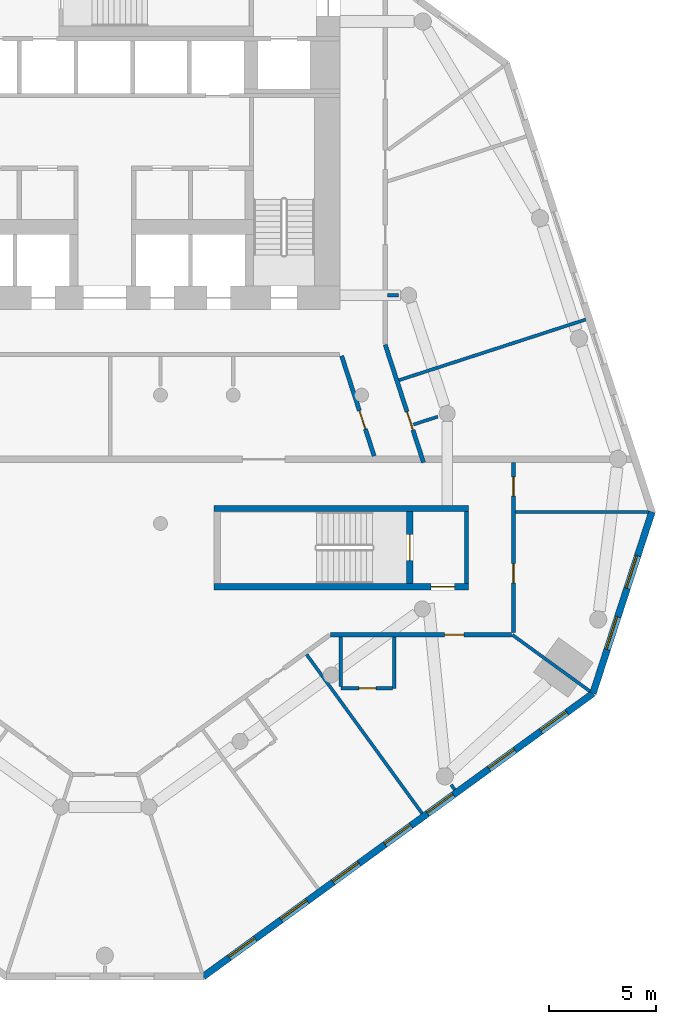
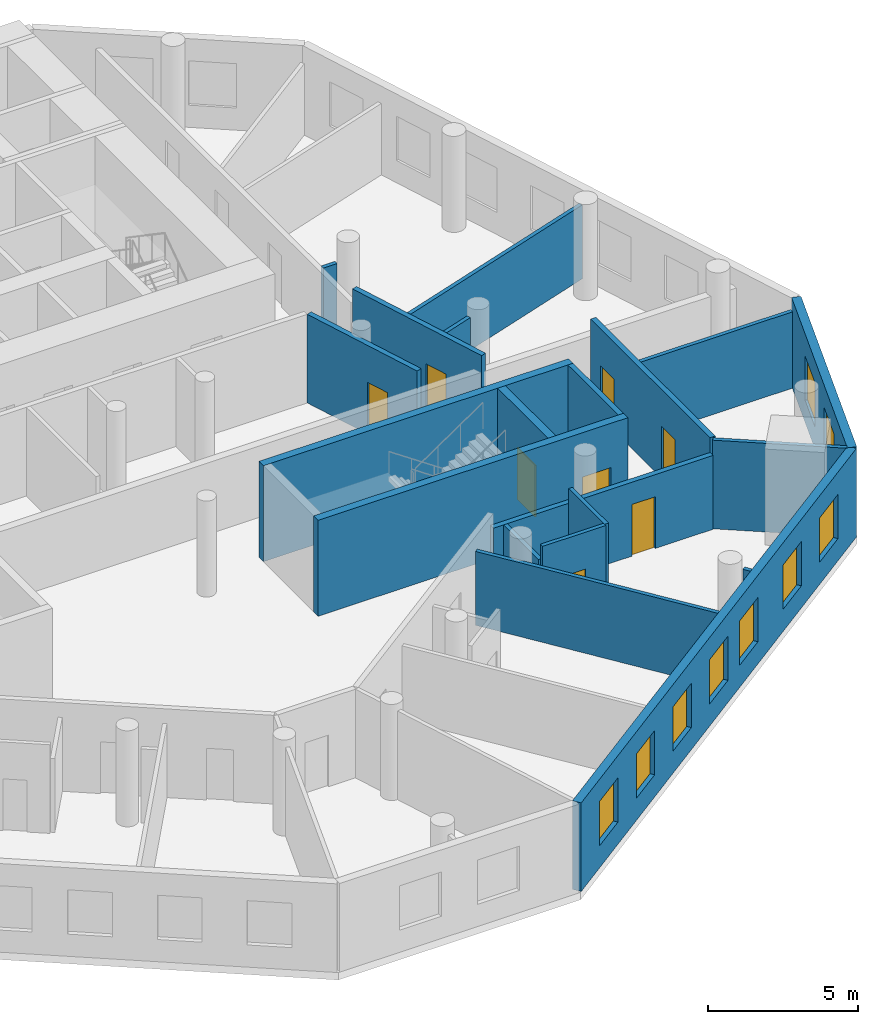
# One storey, part 4 of 9: 20 walls, 9 windows, 8 doors, 17 openings.
"""IFC4 building model written with IfcOpenShell, lengths in metres."""

from ifc_helpers import new_model, si_unit, direction, frame, frame_2d, origin, place, context, subcontext, project, spatial, rectangle, extrude, material, layer, layer_set, type_object, element, fill, save


model = new_model("IFC4")

# Units and contexts
model_context = context("Model", 3, precision=1e-05, world=origin(), true_north=direction((0.0, 1.0)))
body_context = subcontext(model_context, "Body", "Model", "MODEL_VIEW")
ifc_project = project(units=[si_unit("LENGTHUNIT", "METRE"), si_unit("AREAUNIT", "SQUARE_METRE"), si_unit("VOLUMEUNIT", "CUBIC_METRE"), si_unit("PLANEANGLEUNIT", "RADIAN"), si_unit("MASSUNIT", "GRAM", prefix="KILO")], contexts=[model_context])

# Site, building, storey
site_placement = place(None, origin())
site = spatial("IfcSite", under=ifc_project, at=site_placement, CompositionType="ELEMENT")
building_placement = place(site_placement, origin())
building = spatial("IfcBuilding", under=site, at=building_placement, Name="White Candle Pilgrim Tower", CompositionType="ELEMENT")
storey_placement = place(building_placement, frame((0.0, 0.0, 118.10009765625)))
storey = spatial("IfcBuildingStorey", under=building, at=storey_placement, Name="L26", CompositionType="ELEMENT", Elevation=118.10009765625)

# Wall
ifc_material_1 = material(Name="Concrete C60/75", Category="concrete")
ifc_layer_1 = layer(ifc_material_1, 0.199951171875)
ifc_layer_set_1 = layer_set([ifc_layer_1], Name="Core wall 200 mm Concrete C60/75")
wall_type_1 = type_object("IfcWallType", Name="Core wall 200 mm Concrete C60/75", PredefinedType="SHEAR", material=ifc_layer_set_1)
wall_1_placement = place(storey_placement, frame((86.89990234375, 58.199951171875, 0.0), z_axis=(0.0, 0.0, 1.0), x_axis=(0.0, 1.0, 0.0)))
element("IfcWall", 1, at=wall_1_placement, inside=storey, type_object=wall_type_1, Name="WL-L26-C08", PredefinedType="SHEAR", context=body_context, shape_type="SweptSolid", body=[
    extrude(rectangle(XDim=3.35009765625, YDim=0.199951171875, at=frame_2d((1.675048828125, 0.0))), origin(), (0.0, 0.0, 1.0), 3.89990234375),
])

# Wall, opening, door
ifc_material_2 = material(Name="Gypsum board on steel studs", Category="steel")
ifc_layer_2 = layer(ifc_material_2, 0.199951171875)
ifc_layer_set_2 = layer_set([ifc_layer_2], Name="Corridor wall 200 mm EI 45")
wall_type_2 = type_object("IfcWallType", Name="Corridor wall 200 mm EI 45", PredefinedType="PARTITIONING", material=ifc_layer_set_2)
wall_2_placement = place(storey_placement, frame((83.10498046875, 69.35400390625, 0.0), z_axis=(0.0, 0.0, 1.0), x_axis=(0.309017390004, -0.951056387747, 0.0)))
wall_2 = element("IfcWall", 2, at=wall_2_placement, inside=storey, type_object=wall_type_2, Name="WL-L26-P005", PredefinedType="PARTITIONING", context=body_context, shape_type="SweptSolid", body=[
    extrude(rectangle(XDim=5.787109375, YDim=0.199951171875, at=frame_2d((2.8935546875, 0.0))), origin(), (0.0, 0.0, 1.0), 3.599853515625),
])
opening_1_placement = place(wall_2_placement, frame((3.291015625, 0.0, 0.0)))
opening_1 = element("IfcOpeningElement", 3, at=opening_1_placement, cuts=wall_2, Name="Opening T08-127", PredefinedType="OPENING", context=body_context, shape_type="SweptSolid", body=[
    extrude(rectangle(XDim=0.89990234375, YDim=2.10009765625, at=frame_2d((0.449951171875, 1.050048828125))), frame((0.0, 0.10986328125, 0.0), z_axis=(0.0, -1.0, 0.0), x_axis=(1.0, 0.0, 0.0)), (0.0, 0.0, 1.0), 0.219970703125),
])
ifc_material_3 = material(Name="Steel door leaf", Category="steel")
door_type_1 = type_object("IfcDoorType", Name="Fire door 900 x 2100 EI 30", OperationType="NOTDEFINED", PredefinedType="DOOR", material=ifc_material_3)
door_1_placement = place(opening_1_placement, origin())
door_1 = element("IfcDoor", 4, at=door_1_placement, inside=storey, type_object=door_type_1, Name="Door T08-127", OperationType="SINGLE_SWING_LEFT", OverallHeight=2.10009765625, OverallWidth=0.89990234375, PredefinedType="DOOR", context=body_context, shape_type="SweptSolid", body=[
    extrude(rectangle(XDim=0.89990234375, YDim=2.10009765625, at=frame_2d((0.449951171875, 1.050048828125))), frame((0.0, 0.02490234375, 0.0), z_axis=(0.0, -1.0, 0.0), x_axis=(1.0, 0.0, 0.0)), (0.0, 0.0, 1.0), 0.050048828125),
])
fill(opening_1, door_1)

# Wall, openings, doors
wall_3_placement = place(storey_placement, frame((89.10009765625, 63.85009765625, 0.0), z_axis=(0.0, 0.0, 1.0), x_axis=(0.0, -1.0, 0.0)))
wall_3 = element("IfcWall", 5, at=wall_3_placement, inside=storey, type_object=wall_type_2, Name="WL-L26-P006", PredefinedType="PARTITIONING", context=body_context, shape_type="SweptSolid", body=[
    extrude(rectangle(XDim=7.9501953125, YDim=0.199951171875, at=frame_2d((3.97509765625, 0.0))), origin(), (0.0, 0.0, 1.0), 3.599853515625),
])
opening_2_placement = place(wall_3_placement, frame((4.728515625, 0.0, 0.0)))
opening_2 = element("IfcOpeningElement", 6, at=opening_2_placement, cuts=wall_3, Name="Opening T08-115", PredefinedType="OPENING", context=body_context, shape_type="SweptSolid", body=[
    extrude(rectangle(XDim=0.89990234375, YDim=2.10009765625, at=frame_2d((0.449951171875, 1.050048828125))), frame((0.0, 0.10986328125, 0.0), z_axis=(0.0, -1.0, 0.0), x_axis=(1.0, 0.0, 0.0)), (0.0, 0.0, 1.0), 0.219970703125),
])
opening_3_placement = place(wall_3_placement, frame((0.666015625, 0.0, 0.0)))
opening_3 = element("IfcOpeningElement", 7, at=opening_3_placement, cuts=wall_3, Name="Opening T08-128", PredefinedType="OPENING", context=body_context, shape_type="SweptSolid", body=[
    extrude(rectangle(XDim=0.89990234375, YDim=2.10009765625, at=frame_2d((0.449951171875, 1.050048828125))), frame((0.0, 0.10986328125, 0.0), z_axis=(0.0, -1.0, 0.0), x_axis=(1.0, 0.0, 0.0)), (0.0, 0.0, 1.0), 0.219970703125),
])
door_2_placement = place(opening_2_placement, origin())
door_2 = element("IfcDoor", 8, at=door_2_placement, inside=storey, type_object=door_type_1, Name="Door T08-115", OperationType="SINGLE_SWING_LEFT", OverallHeight=2.10009765625, OverallWidth=0.89990234375, PredefinedType="DOOR", context=body_context, shape_type="SweptSolid", body=[
    extrude(rectangle(XDim=0.89990234375, YDim=2.10009765625, at=frame_2d((0.449951171875, 1.050048828125))), frame((0.0, 0.02490234375, 0.0), z_axis=(0.0, -1.0, 0.0), x_axis=(1.0, 0.0, 0.0)), (0.0, 0.0, 1.0), 0.050048828125),
])
fill(opening_2, door_2)
door_3_placement = place(opening_3_placement, origin())
door_3 = element("IfcDoor", 9, at=door_3_placement, inside=storey, type_object=door_type_1, Name="Door T08-128", OperationType="SINGLE_SWING_RIGHT", OverallHeight=2.10009765625, OverallWidth=0.89990234375, PredefinedType="DOOR", context=body_context, shape_type="SweptSolid", body=[
    extrude(rectangle(XDim=0.89990234375, YDim=2.10009765625, at=frame_2d((0.449951171875, 1.050048828125))), frame((0.0, 0.02490234375, 0.0), z_axis=(0.0, -1.0, 0.0), x_axis=(1.0, 0.0, 0.0)), (0.0, 0.0, 1.0), 0.050048828125),
])
fill(opening_3, door_3)

# Wall, opening, door
wall_4_placement = place(storey_placement, frame((89.0, 55.800048828125, 0.0), z_axis=(0.0, 0.0, 1.0), x_axis=(-1.0, 0.0, 0.0)))
wall_4 = element("IfcWall", 10, at=wall_4_placement, inside=storey, type_object=wall_type_2, Name="WL-L26-P007", PredefinedType="PARTITIONING", context=body_context, shape_type="SweptSolid", body=[
    extrude(rectangle(XDim=8.44189453125, YDim=0.199951171875, at=frame_2d((4.220947265625, 0.0))), origin(), (0.0, 0.0, 1.0), 3.0),
])
opening_4_placement = place(wall_4_placement, frame((2.218505859375, 0.0, 0.0)))
opening_4 = element("IfcOpeningElement", 11, at=opening_4_placement, cuts=wall_4, Name="Opening T08-114", PredefinedType="OPENING", context=body_context, shape_type="SweptSolid", body=[
    extrude(rectangle(XDim=0.89990234375, YDim=2.10009765625, at=frame_2d((0.449951171875, 1.050048828125))), frame((0.0, 0.10986328125, 0.0), z_axis=(0.0, -1.0, 0.0), x_axis=(1.0, 0.0, 0.0)), (0.0, 0.0, 1.0), 0.219970703125),
])
door_4_placement = place(opening_4_placement, origin())
door_4 = element("IfcDoor", 12, at=door_4_placement, inside=storey, type_object=door_type_1, Name="Door T08-114", OperationType="SINGLE_SWING_RIGHT", OverallHeight=2.10009765625, OverallWidth=0.89990234375, PredefinedType="DOOR", context=body_context, shape_type="SweptSolid", body=[
    extrude(rectangle(XDim=0.89990234375, YDim=2.10009765625, at=frame_2d((0.449951171875, 1.050048828125))), frame((0.0, 0.02490234375, 0.0), z_axis=(0.0, -1.0, 0.0), x_axis=(1.0, 0.0, 0.0)), (0.0, 0.0, 1.0), 0.050048828125),
])
fill(opening_4, door_4)

wall_5_placement = place(storey_placement, frame((82.587646484375, 64.14990234375, 0.0), z_axis=(0.0, 0.0, 1.0), x_axis=(-0.308986244793, 0.95106650689, 0.0)))
wall_5 = element("IfcWall", 13, at=wall_5_placement, inside=storey, type_object=wall_type_2, Name="WL-L26-P015", PredefinedType="PARTITIONING", context=body_context, shape_type="SweptSolid", body=[
    extrude(rectangle(XDim=4.921630859375, YDim=0.199951171875, at=frame_2d((2.4609375, 0.0))), origin(), (0.0, 0.0, 1.0), 3.599853515625),
])
opening_5_placement = place(wall_5_placement, frame((1.32568359375, 0.0, 0.0)))
opening_5 = element("IfcOpeningElement", 14, at=opening_5_placement, cuts=wall_5, Name="Opening T08-129", PredefinedType="OPENING", context=body_context, shape_type="SweptSolid", body=[
    extrude(rectangle(XDim=0.89990234375, YDim=2.10009765625, at=frame_2d((0.449951171875, 1.050048828125))), frame((0.0, 0.10986328125, 0.0), z_axis=(0.0, -1.0, 0.0), x_axis=(1.0, 0.0, 0.0)), (0.0, 0.0, 1.0), 0.219970703125),
])
door_5_placement = place(opening_5_placement, origin())
door_5 = element("IfcDoor", 15, at=door_5_placement, inside=storey, type_object=door_type_1, Name="Door T08-129", OperationType="SINGLE_SWING_LEFT", OverallHeight=2.10009765625, OverallWidth=0.89990234375, PredefinedType="DOOR", context=body_context, shape_type="SweptSolid", body=[
    extrude(rectangle(XDim=0.89990234375, YDim=2.10009765625, at=frame_2d((0.449951171875, 1.050048828125))), frame((0.0, 0.02490234375, 0.0), z_axis=(0.0, -1.0, 0.0), x_axis=(1.0, 0.0, 0.0)), (0.0, 0.0, 1.0), 0.050048828125),
])
fill(opening_5, door_5)

# Wall, openings, windows
ifc_material_4 = material(Name="Precast concrete C40/50", Category="concrete")
ifc_layer_3 = layer(ifc_material_4, 0.320068359375)
ifc_layer_set_3 = layer_set([ifc_layer_3], Name="Facade wall EW1 precast concrete C40/50 pier wall with timber-lined reveals")
wall_type_3 = type_object("IfcWallType", Name="Facade wall EW1 precast concrete C40/50 pier wall with timber-lined reveals", PredefinedType="SOLIDWALL", material=ifc_layer_set_3)
wall_6_placement = place(storey_placement, frame((74.599609375, 39.825927734375, 0.0), z_axis=(0.0, 0.0, 1.0), x_axis=(0.809016442358, 0.587786012077, 0.0)))
wall_6 = element("IfcWall", 16, at=wall_6_placement, inside=storey, type_object=wall_type_3, Name="Facade wall L26 SE", PredefinedType="SOLIDWALL", context=body_context, shape_type="SweptSolid", body=[
    extrude(rectangle(XDim=22.511474609375, YDim=0.320068359375, at=frame_2d((11.255859375, 0.0))), origin(), (0.0, 0.0, 1.0), 3.599853515625),
])
opening_6_placement = place(wall_6_placement, frame((1.505615234375, 0.0, 0.89990234375)))
opening_6 = element("IfcOpeningElement", 17, at=opening_6_placement, cuts=wall_6, Name="Opening W1", PredefinedType="OPENING", context=body_context, shape_type="SweptSolid", body=[
    extrude(rectangle(XDim=1.5, YDim=1.800048828125, at=frame_2d((0.75, 0.89990234375))), frame((0.0, 0.169921875, 0.0), z_axis=(0.0, -1.0, 0.0), x_axis=(1.0, 0.0, 0.0)), (0.0, 0.0, 1.0), 0.340087890625),
])
opening_7_placement = place(wall_6_placement, frame((4.505615234375, 0.0, 0.89990234375)))
opening_7 = element("IfcOpeningElement", 18, at=opening_7_placement, cuts=wall_6, Name="Opening W1", PredefinedType="OPENING", context=body_context, shape_type="SweptSolid", body=[
    extrude(rectangle(XDim=1.5, YDim=1.800048828125, at=frame_2d((0.75, 0.89990234375))), frame((0.0, 0.169921875, 0.0), z_axis=(0.0, -1.0, 0.0), x_axis=(1.0, 0.0, 0.0)), (0.0, 0.0, 1.0), 0.340087890625),
])
opening_8_placement = place(wall_6_placement, frame((7.505615234375, 0.0, 0.89990234375)))
opening_8 = element("IfcOpeningElement", 19, at=opening_8_placement, cuts=wall_6, Name="Opening W1", PredefinedType="OPENING", context=body_context, shape_type="SweptSolid", body=[
    extrude(rectangle(XDim=1.5, YDim=1.800048828125, at=frame_2d((0.75, 0.89990234375))), frame((0.0, 0.169921875, 0.0), z_axis=(0.0, -1.0, 0.0), x_axis=(1.0, 0.0, 0.0)), (0.0, 0.0, 1.0), 0.340087890625),
])
opening_9_placement = place(wall_6_placement, frame((10.505615234375, 0.0, 0.89990234375)))
opening_9 = element("IfcOpeningElement", 20, at=opening_9_placement, cuts=wall_6, Name="Opening W1", PredefinedType="OPENING", context=body_context, shape_type="SweptSolid", body=[
    extrude(rectangle(XDim=1.5, YDim=1.800048828125, at=frame_2d((0.75, 0.89990234375))), frame((0.0, 0.169921875, 0.0), z_axis=(0.0, -1.0, 0.0), x_axis=(1.0, 0.0, 0.0)), (0.0, 0.0, 1.0), 0.340087890625),
])
opening_10_placement = place(wall_6_placement, frame((12.955810546875, 0.0, 0.89990234375)))
opening_10 = element("IfcOpeningElement", 21, at=opening_10_placement, cuts=wall_6, Name="Opening W1", PredefinedType="OPENING", context=body_context, shape_type="SweptSolid", body=[
    extrude(rectangle(XDim=1.5, YDim=1.800048828125, at=frame_2d((0.75, 0.89990234375))), frame((0.0, 0.169921875, 0.0), z_axis=(0.0, -1.0, 0.0), x_axis=(1.0, 0.0, 0.0)), (0.0, 0.0, 1.0), 0.340087890625),
])
opening_11_placement = place(wall_6_placement, frame((16.505615234375, 0.0, 0.89990234375)))
opening_11 = element("IfcOpeningElement", 22, at=opening_11_placement, cuts=wall_6, Name="Opening W1", PredefinedType="OPENING", context=body_context, shape_type="SweptSolid", body=[
    extrude(rectangle(XDim=1.5, YDim=1.800048828125, at=frame_2d((0.75, 0.89990234375))), frame((0.0, 0.169921875, 0.0), z_axis=(0.0, -1.0, 0.0), x_axis=(1.0, 0.0, 0.0)), (0.0, 0.0, 1.0), 0.340087890625),
])
opening_12_placement = place(wall_6_placement, frame((19.505615234375, 0.0, 0.89990234375)))
opening_12 = element("IfcOpeningElement", 23, at=opening_12_placement, cuts=wall_6, Name="Opening W1", PredefinedType="OPENING", context=body_context, shape_type="SweptSolid", body=[
    extrude(rectangle(XDim=1.5, YDim=1.800048828125, at=frame_2d((0.75, 0.89990234375))), frame((0.0, 0.169921875, 0.0), z_axis=(0.0, -1.0, 0.0), x_axis=(1.0, 0.0, 0.0)), (0.0, 0.0, 1.0), 0.340087890625),
])
ifc_material_5 = material(Name="Timber frame with triple glazing", Category="wood")
window_type_1 = type_object("IfcWindowType", Name="Window W1 1500x1800 timber frame triple glazing", PartitioningType="SINGLE_PANEL", PredefinedType="WINDOW", material=ifc_material_5)
window_1_placement = place(opening_6_placement, origin())
window_1 = element("IfcWindow", 24, at=window_1_placement, inside=storey, type_object=window_type_1, Name="Window W1 L26 SE 1", OverallHeight=1.800048828125, OverallWidth=1.5, PartitioningType="SINGLE_PANEL", PredefinedType="WINDOW", context=body_context, shape_type="SweptSolid", body=[
    extrude(rectangle(XDim=1.5, YDim=1.800048828125, at=frame_2d((0.75, 0.89990234375))), frame((0.0, 0.070068359375, 0.0), z_axis=(0.0, -1.0, 0.0), x_axis=(1.0, 0.0, 0.0)), (0.0, 0.0, 1.0), 0.06005859375),
])
fill(opening_6, window_1)
window_2_placement = place(opening_7_placement, origin())
window_2 = element("IfcWindow", 25, at=window_2_placement, inside=storey, type_object=window_type_1, Name="Window W1 L26 SE 2", OverallHeight=1.800048828125, OverallWidth=1.5, PartitioningType="SINGLE_PANEL", PredefinedType="WINDOW", context=body_context, shape_type="SweptSolid", body=[
    extrude(rectangle(XDim=1.5, YDim=1.800048828125, at=frame_2d((0.75, 0.89990234375))), frame((0.0, 0.070068359375, 0.0), z_axis=(0.0, -1.0, 0.0), x_axis=(1.0, 0.0, 0.0)), (0.0, 0.0, 1.0), 0.06005859375),
])
fill(opening_7, window_2)
window_3_placement = place(opening_8_placement, origin())
window_3 = element("IfcWindow", 26, at=window_3_placement, inside=storey, type_object=window_type_1, Name="Window W1 L26 SE 3", OverallHeight=1.800048828125, OverallWidth=1.5, PartitioningType="SINGLE_PANEL", PredefinedType="WINDOW", context=body_context, shape_type="SweptSolid", body=[
    extrude(rectangle(XDim=1.5, YDim=1.800048828125, at=frame_2d((0.75, 0.89990234375))), frame((0.0, 0.070068359375, 0.0), z_axis=(0.0, -1.0, 0.0), x_axis=(1.0, 0.0, 0.0)), (0.0, 0.0, 1.0), 0.06005859375),
])
fill(opening_8, window_3)
window_4_placement = place(opening_9_placement, origin())
window_4 = element("IfcWindow", 27, at=window_4_placement, inside=storey, type_object=window_type_1, Name="Window W1 L26 SE 4", OverallHeight=1.800048828125, OverallWidth=1.5, PartitioningType="SINGLE_PANEL", PredefinedType="WINDOW", context=body_context, shape_type="SweptSolid", body=[
    extrude(rectangle(XDim=1.5, YDim=1.800048828125, at=frame_2d((0.75, 0.89990234375))), frame((0.0, 0.070068359375, 0.0), z_axis=(0.0, -1.0, 0.0), x_axis=(1.0, 0.0, 0.0)), (0.0, 0.0, 1.0), 0.06005859375),
])
fill(opening_9, window_4)
window_5_placement = place(opening_10_placement, origin())
window_5 = element("IfcWindow", 28, at=window_5_placement, inside=storey, type_object=window_type_1, Name="Window W1 L26 SE 5", OverallHeight=1.800048828125, OverallWidth=1.5, PartitioningType="SINGLE_PANEL", PredefinedType="WINDOW", context=body_context, shape_type="SweptSolid", body=[
    extrude(rectangle(XDim=1.5, YDim=1.800048828125, at=frame_2d((0.75, 0.89990234375))), frame((0.0, 0.070068359375, 0.0), z_axis=(0.0, -1.0, 0.0), x_axis=(1.0, 0.0, 0.0)), (0.0, 0.0, 1.0), 0.06005859375),
])
fill(opening_10, window_5)
window_6_placement = place(opening_11_placement, origin())
window_6 = element("IfcWindow", 29, at=window_6_placement, inside=storey, type_object=window_type_1, Name="Window W1 L26 SE 6", OverallHeight=1.800048828125, OverallWidth=1.5, PartitioningType="SINGLE_PANEL", PredefinedType="WINDOW", context=body_context, shape_type="SweptSolid", body=[
    extrude(rectangle(XDim=1.5, YDim=1.800048828125, at=frame_2d((0.75, 0.89990234375))), frame((0.0, 0.070068359375, 0.0), z_axis=(0.0, -1.0, 0.0), x_axis=(1.0, 0.0, 0.0)), (0.0, 0.0, 1.0), 0.06005859375),
])
fill(opening_11, window_6)
window_7_placement = place(opening_12_placement, origin())
window_7 = element("IfcWindow", 30, at=window_7_placement, inside=storey, type_object=window_type_1, Name="Window W1 L26 SE 7", OverallHeight=1.800048828125, OverallWidth=1.5, PartitioningType="SINGLE_PANEL", PredefinedType="WINDOW", context=body_context, shape_type="SweptSolid", body=[
    extrude(rectangle(XDim=1.5, YDim=1.800048828125, at=frame_2d((0.75, 0.89990234375))), frame((0.0, 0.070068359375, 0.0), z_axis=(0.0, -1.0, 0.0), x_axis=(1.0, 0.0, 0.0)), (0.0, 0.0, 1.0), 0.06005859375),
])
fill(opening_12, window_7)

wall_7_placement = place(storey_placement, frame((92.811767578125, 53.057861328125, 0.0), z_axis=(0.0, 0.0, 1.0), x_axis=(0.309002538333, 0.951061213227, 0.0)))
wall_7 = element("IfcWall", 31, at=wall_7_placement, inside=storey, type_object=wall_type_3, Name="Facade wall L26 E chamfer", PredefinedType="SOLIDWALL", context=body_context, shape_type="SweptSolid", body=[
    extrude(rectangle(XDim=8.921630859375, YDim=0.320068359375, at=frame_2d((4.4609375, 0.0))), origin(), (0.0, 0.0, 1.0), 3.599853515625),
])
opening_13_placement = place(wall_7_placement, frame((2.160888671875, 0.0, 0.89990234375)))
opening_13 = element("IfcOpeningElement", 32, at=opening_13_placement, cuts=wall_7, Name="Opening W2", PredefinedType="OPENING", context=body_context, shape_type="SweptSolid", body=[
    extrude(rectangle(XDim=1.60009765625, YDim=1.800048828125, at=frame_2d((0.800048828125, 0.89990234375))), frame((0.0, 0.169921875, 0.0), z_axis=(0.0, -1.0, 0.0), x_axis=(1.0, 0.0, 0.0)), (0.0, 0.0, 1.0), 0.340087890625),
])
opening_14_placement = place(wall_7_placement, frame((5.160888671875, 0.0, 0.89990234375)))
opening_14 = element("IfcOpeningElement", 33, at=opening_14_placement, cuts=wall_7, Name="Opening W2", PredefinedType="OPENING", context=body_context, shape_type="SweptSolid", body=[
    extrude(rectangle(XDim=1.60009765625, YDim=1.800048828125, at=frame_2d((0.800048828125, 0.89990234375))), frame((0.0, 0.169921875, 0.0), z_axis=(0.0, -1.0, 0.0), x_axis=(1.0, 0.0, 0.0)), (0.0, 0.0, 1.0), 0.340087890625),
])
window_type_2 = type_object("IfcWindowType", Name="Window W2 1600x1800 timber frame triple glazing", PartitioningType="SINGLE_PANEL", PredefinedType="WINDOW", material=ifc_material_5)
window_8_placement = place(opening_13_placement, origin())
window_8 = element("IfcWindow", 34, at=window_8_placement, inside=storey, type_object=window_type_2, Name="Window W2 L26 E chamfer 1", OverallHeight=1.800048828125, OverallWidth=1.60009765625, PartitioningType="SINGLE_PANEL", PredefinedType="WINDOW", context=body_context, shape_type="SweptSolid", body=[
    extrude(rectangle(XDim=1.60009765625, YDim=1.800048828125, at=frame_2d((0.800048828125, 0.89990234375))), frame((0.0, 0.070068359375, 0.0), z_axis=(0.0, -1.0, 0.0), x_axis=(1.0, 0.0, 0.0)), (0.0, 0.0, 1.0), 0.06005859375),
])
fill(opening_13, window_8)
window_9_placement = place(opening_14_placement, origin())
window_9 = element("IfcWindow", 35, at=window_9_placement, inside=storey, type_object=window_type_2, Name="Window W2 L26 E chamfer 2", OverallHeight=1.800048828125, OverallWidth=1.60009765625, PartitioningType="SINGLE_PANEL", PredefinedType="WINDOW", context=body_context, shape_type="SweptSolid", body=[
    extrude(rectangle(XDim=1.60009765625, YDim=1.800048828125, at=frame_2d((0.800048828125, 0.89990234375))), frame((0.0, 0.070068359375, 0.0), z_axis=(0.0, -1.0, 0.0), x_axis=(1.0, 0.0, 0.0)), (0.0, 0.0, 1.0), 0.06005859375),
])
fill(opening_14, window_9)

# Walls
ifc_layer_4 = layer(ifc_material_2, 0.14990234375)
ifc_layer_set_4 = layer_set([ifc_layer_4], Name="Partition 150 mm EI 60")
wall_type_4 = type_object("IfcWallType", Name="Partition 150 mm EI 60", PredefinedType="PARTITIONING", material=ifc_layer_set_4)
wall_8_placement = place(storey_placement, frame((92.675537109375, 53.15673828125, 0.0), z_axis=(0.0, 0.0, 1.0), x_axis=(-0.809006482004, 0.587799721058, 0.0)))
element("IfcWall", 36, at=wall_8_placement, inside=storey, type_object=wall_type_4, Name="WL-L26-P021", PredefinedType="PARTITIONING", context=body_context, shape_type="SweptSolid", body=[
    extrude(rectangle(XDim=4.48876953125, YDim=0.14990234375, at=frame_2d((2.244384765625, 0.0))), origin(), (0.0, 0.0, 1.0), 3.599853515625),
])
wall_9_placement = place(storey_placement, frame((95.400390625, 61.54296875, 0.0), z_axis=(0.0, 0.0, 1.0), x_axis=(-1.0, 0.0, 0.0)))
element("IfcWall", 37, at=wall_9_placement, inside=storey, type_object=wall_type_4, Name="WL-L26-P022", PredefinedType="PARTITIONING", context=body_context, shape_type="SweptSolid", body=[
    extrude(rectangle(XDim=6.200439453125, YDim=0.14990234375, at=frame_2d((3.10009765625, 0.0))), origin(), (0.0, 0.0, 1.0), 3.099853515625),
])
wall_10_placement = place(storey_placement, frame((84.8251953125, 47.452880859375, 0.0), z_axis=(0.0, 0.0, 1.0), x_axis=(-0.587795283542, 0.809009706151, 0.0)))
element("IfcWall", 38, at=wall_10_placement, inside=storey, type_object=wall_type_4, Name="WL-L26-P041", PredefinedType="PARTITIONING", context=body_context, shape_type="SweptSolid", body=[
    extrude(rectangle(XDim=9.18017578125, YDim=0.14990234375, at=frame_2d((4.590087890625, 0.0))), origin(), (0.0, 0.0, 1.0), 3.0),
])
wall_11_placement = place(storey_placement, frame((83.525634765625, 55.699951171875, 0.0), z_axis=(0.0, 0.0, 1.0), x_axis=(0.0, -1.0, 0.0)))
element("IfcWall", 39, at=wall_11_placement, inside=storey, type_object=wall_type_4, Name="WL-L26-P044", PredefinedType="PARTITIONING", context=body_context, shape_type="SweptSolid", body=[
    extrude(rectangle(XDim=2.39990234375, YDim=0.14990234375, at=frame_2d((1.199951171875, 0.0))), origin(), (0.0, 0.0, 1.0), 3.599853515625),
])

# Wall, opening, door
wall_12_placement = place(storey_placement, frame((81.025634765625, 53.300048828125, 0.0), z_axis=(0.0, 0.0, 1.0), x_axis=(1.0, 0.0, 0.0)))
wall_12 = element("IfcWall", 40, at=wall_12_placement, inside=storey, type_object=wall_type_4, Name="WL-L26-P045", PredefinedType="PARTITIONING", context=body_context, shape_type="SweptSolid", body=[
    extrude(rectangle(XDim=2.425048828125, YDim=0.14990234375, at=frame_2d((1.21240234375, 0.0))), origin(), (0.0, 0.0, 1.0), 3.599853515625),
])
opening_15_placement = place(wall_12_placement, frame((0.85009765625, 0.0, 0.0)))
opening_15 = element("IfcOpeningElement", 41, at=opening_15_placement, cuts=wall_12, Name="Opening T08-113", PredefinedType="OPENING", context=body_context, shape_type="SweptSolid", body=[
    extrude(rectangle(XDim=0.800048828125, YDim=2.10009765625, at=frame_2d((0.39990234375, 1.050048828125))), frame((0.0, 0.0849609375, 0.0), z_axis=(0.0, -1.0, 0.0), x_axis=(1.0, 0.0, 0.0)), (0.0, 0.0, 1.0), 0.169921875),
])
door_type_2 = type_object("IfcDoorType", Name="Fire door 800 x 2100 EI 30", OperationType="NOTDEFINED", PredefinedType="DOOR", material=ifc_material_3)
door_6_placement = place(opening_15_placement, frame((0.800048828125, 0.0, 0.0), z_axis=(0.0, 0.0, 1.0), x_axis=(-1.0, 0.0, 0.0)))
door_6 = element("IfcDoor", 42, at=door_6_placement, inside=storey, type_object=door_type_2, Name="Door T08-113", OperationType="SINGLE_SWING_RIGHT", OverallHeight=2.10009765625, OverallWidth=0.800048828125, PredefinedType="DOOR", context=body_context, shape_type="SweptSolid", body=[
    extrude(rectangle(XDim=0.800048828125, YDim=2.10009765625, at=frame_2d((0.39990234375, 1.050048828125))), frame((0.0, 0.02490234375, 0.0), z_axis=(0.0, -1.0, 0.0), x_axis=(1.0, 0.0, 0.0)), (0.0, 0.0, 1.0), 0.050048828125),
])
fill(opening_15, door_6)

# Walls
wall_13_placement = place(storey_placement, frame((81.025634765625, 55.699951171875, 0.0), z_axis=(0.0, 0.0, 1.0), x_axis=(0.0, -1.0, 0.0)))
element("IfcWall", 43, at=wall_13_placement, inside=storey, type_object=wall_type_4, Name="WL-L26-P046", PredefinedType="PARTITIONING", context=body_context, shape_type="SweptSolid", body=[
    extrude(rectangle(XDim=2.324951171875, YDim=0.14990234375, at=frame_2d((1.16259765625, 0.0))), origin(), (0.0, 0.0, 1.0), 3.0),
])
wall_14_placement = place(storey_placement, frame((92.47900390625, 70.533935546875, 0.0), z_axis=(0.0, 0.0, 1.0), x_axis=(-0.951052242872, -0.309030146309, 0.0)))
element("IfcWall", 44, at=wall_14_placement, inside=storey, type_object=wall_type_4, Name="WL-L26-P047", PredefinedType="PARTITIONING", context=body_context, shape_type="SweptSolid", body=[
    extrude(rectangle(XDim=9.18017578125, YDim=0.14990234375, at=frame_2d((4.590087890625, 0.0))), origin(), (0.0, 0.0, 1.0), 3.0),
])
wall_15_placement = place(storey_placement, frame((86.18603515625, 48.78955078125, 0.0), z_axis=(0.0, 0.0, 1.0), x_axis=(0.587707047183, -0.809073807938, 0.0)))
element("IfcWall", 45, at=wall_15_placement, inside=storey, type_object=wall_type_4, Name="WL-L26-P053", PredefinedType="PARTITIONING", context=body_context, shape_type="SweptSolid", body=[
    extrude(rectangle(XDim=0.28125, YDim=0.14990234375, at=frame_2d((0.140625, 0.0))), origin(), (0.0, 0.0, 1.0), 3.599853515625),
])
wall_16_placement = place(storey_placement, frame((85.558837890625, 65.992919921875, 0.0), z_axis=(0.0, 0.0, 1.0), x_axis=(-0.951046076661, -0.30904912242, 0.0)))
element("IfcWall", 46, at=wall_16_placement, inside=storey, type_object=wall_type_4, Name="WL-L26-P055", PredefinedType="PARTITIONING", context=body_context, shape_type="SweptSolid", body=[
    extrude(rectangle(XDim=1.1953125, YDim=0.14990234375, at=frame_2d((0.59765625, 0.0))), origin(), (0.0, 0.0, 1.0), 3.599853515625),
])
wall_17_placement = place(storey_placement, frame((83.735107421875, 71.667724609375, 0.0), z_axis=(0.0, 0.0, 1.0), x_axis=(-1.0, 0.0, 0.0)))
element("IfcWall", 47, at=wall_17_placement, inside=storey, type_object=wall_type_4, Name="WL-L26-P056", PredefinedType="PARTITIONING", context=body_context, shape_type="SweptSolid", body=[
    extrude(rectangle(XDim=0.53515625, YDim=0.14990234375, at=frame_2d((0.267578125, 0.0))), origin(), (0.0, 0.0, 1.0), 3.0),
])

# Wall, opening, door
ifc_layer_5 = layer(ifc_material_1, 0.300048828125)
ifc_layer_set_5 = layer_set([ifc_layer_5], Name="Stair shaft wall 300 mm Concrete C60/75")
wall_type_5 = type_object("IfcWallType", Name="Stair shaft wall 300 mm Concrete C60/75", PredefinedType="SHEAR", material=ifc_layer_set_5)
wall_18_placement = place(storey_placement, frame((75.10009765625, 58.050048828125, 0.0), z_axis=(0.0, 0.0, 1.0), x_axis=(1.0, 0.0, 0.0)))
wall_18 = element("IfcWall", 48, at=wall_18_placement, inside=storey, type_object=wall_type_5, Name="WL-L26-C02", PredefinedType="SHEAR", context=body_context, shape_type="SweptSolid", body=[
    extrude(rectangle(XDim=11.89990234375, YDim=0.300048828125, at=frame_2d((5.949951171875, 0.0))), origin(), (0.0, 0.0, 1.0), 3.89990234375),
])
opening_16_placement = place(wall_18_placement, frame((10.14990234375, 0.0, 0.0)))
opening_16 = element("IfcOpeningElement", 49, at=opening_16_placement, cuts=wall_18, Name="Opening T08-009", PredefinedType="OPENING", context=body_context, shape_type="SweptSolid", body=[
    extrude(rectangle(XDim=1.10009765625, YDim=2.10009765625, at=frame_2d((0.550048828125, 1.050048828125))), frame((0.0, 0.159912109375, 0.0), z_axis=(0.0, -1.0, 0.0), x_axis=(1.0, 0.0, 0.0)), (0.0, 0.0, 1.0), 0.320068359375),
])
door_type_3 = type_object("IfcDoorType", Name="Fire door 1100 x 2100 EI 60", OperationType="NOTDEFINED", PredefinedType="DOOR", material=ifc_material_3)
door_7_placement = place(opening_16_placement, origin())
door_7 = element("IfcDoor", 50, at=door_7_placement, inside=storey, type_object=door_type_3, Name="Door T08-009", OperationType="SINGLE_SWING_LEFT", OverallHeight=2.10009765625, OverallWidth=1.10009765625, PredefinedType="DOOR", context=body_context, shape_type="SweptSolid", body=[
    extrude(rectangle(XDim=1.10009765625, YDim=2.10009765625, at=frame_2d((0.550048828125, 1.050048828125))), frame((0.0, 0.02490234375, 0.0), z_axis=(0.0, -1.0, 0.0), x_axis=(1.0, 0.0, 0.0)), (0.0, 0.0, 1.0), 0.050048828125),
])
fill(opening_16, door_7)

wall_19_placement = place(storey_placement, frame((84.25, 58.199951171875, 0.0), z_axis=(0.0, 0.0, 1.0), x_axis=(0.0, 1.0, 0.0)))
wall_19 = element("IfcWall", 51, at=wall_19_placement, inside=storey, type_object=wall_type_5, Name="WL-L26-C07", PredefinedType="SHEAR", context=body_context, shape_type="SweptSolid", body=[
    extrude(rectangle(XDim=3.35009765625, YDim=0.300048828125, at=frame_2d((1.675048828125, 0.0))), origin(), (0.0, 0.0, 1.0), 3.89990234375),
])
opening_17_placement = place(wall_19_placement, frame((1.074951171875, 0.0, 0.0)))
opening_17 = element("IfcOpeningElement", 52, at=opening_17_placement, cuts=wall_19, Name="Opening T08-010", PredefinedType="OPENING", context=body_context, shape_type="SweptSolid", body=[
    extrude(rectangle(XDim=1.199951171875, YDim=2.10009765625, at=frame_2d((0.60009765625, 1.050048828125))), frame((0.0, 0.159912109375, 0.0), z_axis=(0.0, -1.0, 0.0), x_axis=(1.0, 0.0, 0.0)), (0.0, 0.0, 1.0), 0.320068359375),
])
door_type_4 = type_object("IfcDoorType", Name="Fire door 1200 x 2100 EI 60", OperationType="NOTDEFINED", PredefinedType="DOOR", material=ifc_material_3)
door_8_placement = place(opening_17_placement, origin())
door_8 = element("IfcDoor", 53, at=door_8_placement, inside=storey, type_object=door_type_4, Name="Door T08-010", OperationType="SINGLE_SWING_RIGHT", OverallHeight=2.10009765625, OverallWidth=1.199951171875, PredefinedType="DOOR", context=body_context, shape_type="SweptSolid", body=[
    extrude(rectangle(XDim=1.199951171875, YDim=2.10009765625, at=frame_2d((0.60009765625, 1.050048828125))), frame((0.0, 0.02490234375, 0.0), z_axis=(0.0, -1.0, 0.0), x_axis=(1.0, 0.0, 0.0)), (0.0, 0.0, 1.0), 0.050048828125),
])
fill(opening_17, door_8)

# Wall
wall_20_placement = place(storey_placement, frame((75.10009765625, 61.699951171875, 0.0), z_axis=(0.0, 0.0, 1.0), x_axis=(1.0, 0.0, 0.0)))
element("IfcWall", 54, at=wall_20_placement, inside=storey, type_object=wall_type_5, Name="WL-L26-C10", PredefinedType="SHEAR", context=body_context, shape_type="SweptSolid", body=[
    extrude(rectangle(XDim=11.89990234375, YDim=0.300048828125, at=frame_2d((5.949951171875, 0.0))), origin(), (0.0, 0.0, 1.0), 3.89990234375),
])

save(model, "model.ifc")
